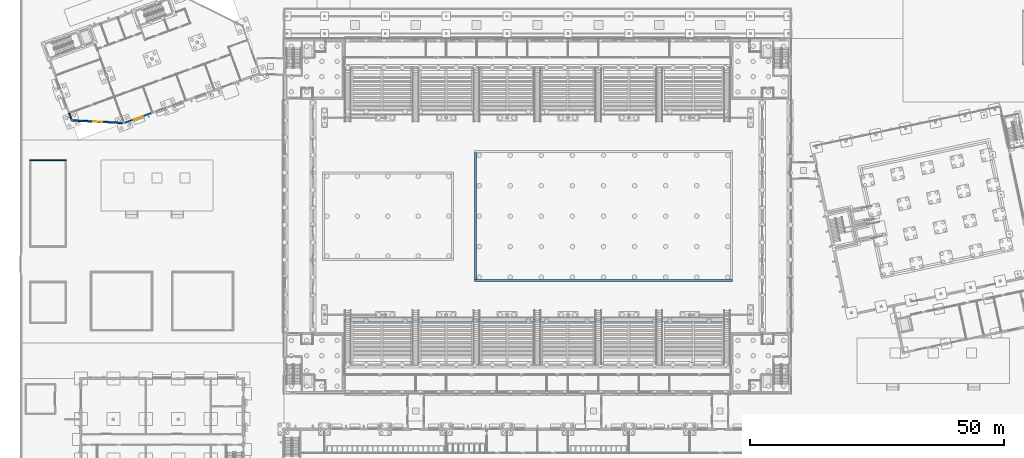
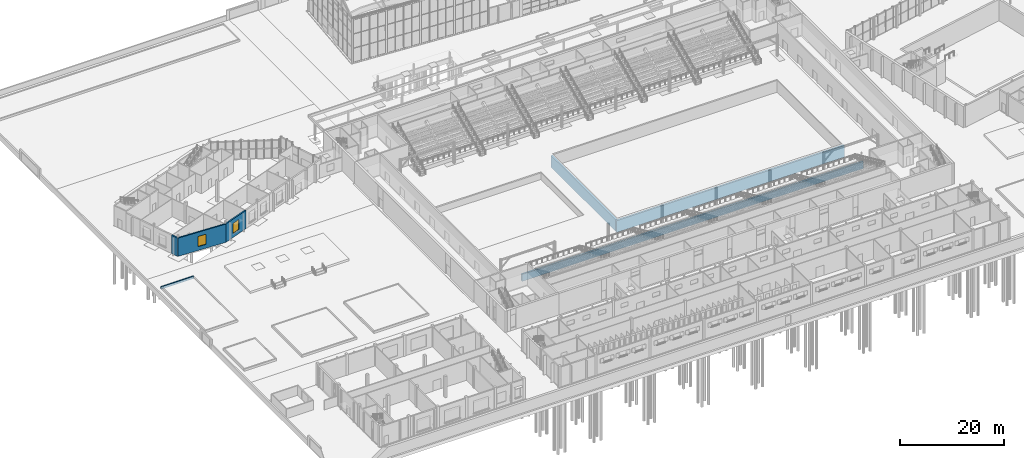
# One storey, part 91 of 157: 7 walls, 2 windows, 2 openings.
"""IFC4 building model written with IfcOpenShell, lengths in metres."""

from ifc_helpers import new_model, si_unit, direction, frame, frame_2d, origin, place, context, subcontext, project, spatial, rectangle, extrude, material, layer, layer_set, type_object, element, fill, save


model = new_model("IFC4")

# Units and contexts
model_context = context("Model", 3, precision=1e-05, world=origin(), true_north=direction((0.0, 1.0)))
body_context = subcontext(model_context, "Body", "Model", "MODEL_VIEW")
ifc_project = project(units=[si_unit("LENGTHUNIT", "METRE"), si_unit("AREAUNIT", "SQUARE_METRE"), si_unit("VOLUMEUNIT", "CUBIC_METRE"), si_unit("PLANEANGLEUNIT", "RADIAN"), si_unit("MASSUNIT", "GRAM", prefix="KILO")], contexts=[model_context])

# Site, building, storey
site_placement = place(None, origin())
site = spatial("IfcSite", under=ifc_project, at=site_placement, CompositionType="ELEMENT")
building_placement = place(site_placement, origin())
building = spatial("IfcBuilding", under=site, at=building_placement, Name="Windward Yard Aquatics Centre", CompositionType="ELEMENT")
storey_placement = place(building_placement, origin())
storey = spatial("IfcBuildingStorey", under=building, at=storey_placement, Name="L00", CompositionType="ELEMENT", Elevation=0.0)

# Wall, opening, window
ifc_material_1 = material(Name="Natural stone cladding", Category="masonry")
ifc_layer_1 = layer(ifc_material_1, 0.04, Name="Cladding")
ifc_material_2 = material(Name="Ventilated air cavity")
ifc_layer_2 = layer(ifc_material_2, 0.04, ventilated=True, Name="Ventilated cavity")
ifc_material_3 = material(Name="Mineral wool insulation")
ifc_layer_3 = layer(ifc_material_3, 0.06, Name="Insulation")
ifc_material_4 = material(Name="Concrete C40/50", Category="concrete")
ifc_layer_4 = layer(ifc_material_4, 0.16, Name="Structure")
ifc_layer_set_1 = layer_set([ifc_layer_1, ifc_layer_2, ifc_layer_3, ifc_layer_4], Name="F stone-faced infill wall 300 Concrete C40/50")
wall_type_1 = type_object("IfcWallType", Name="F stone-faced infill wall 300 Concrete C40/50", PredefinedType="ELEMENTEDWALL", material=ifc_layer_set_1)
wall_1_placement = place(storey_placement, frame((10.197998046875, 79.863525390625, 0.0), z_axis=(0.0, 0.0, 1.0), x_axis=(0.998777549242, -0.049430831779, 0.0)))
wall_1 = element("IfcWall", 1, at=wall_1_placement, inside=storey, type_object=wall_type_1, Name="F.WL.L00.E01", PredefinedType="ELEMENTEDWALL", context=body_context, shape_type="SweptSolid", body=[
    extrude(rectangle(XDim=10.307861328125, YDim=0.300048828125, at=frame_2d((5.15380859375, 0.0))), origin(), (0.0, 0.0, 1.0), 4.302978515625),
])
opening_1_placement = place(wall_1_placement, frame((4.25390625, 0.0, 0.89990234375)))
opening_1 = element("IfcOpeningElement", 2, at=opening_1_placement, cuts=wall_1, Name="Opening F0101", PredefinedType="OPENING", context=body_context, shape_type="SweptSolid", body=[
    extrude(rectangle(XDim=1.800048828125, YDim=2.39990234375, at=frame_2d((0.89990234375, 1.199951171875))), frame((0.0, 0.16015625, 0.0), z_axis=(0.0, -1.0, 0.0), x_axis=(1.0, 0.0, 0.0)), (0.0, 0.0, 1.0), 0.320068359375),
])
ifc_material_5 = material(Name="Aluminium frame with double glazing", Category="aluminium")
window_type = type_object("IfcWindowType", Name="F window 1800x2400 double glazed", PartitioningType="SINGLE_PANEL", PredefinedType="WINDOW", material=ifc_material_5)
window_1_placement = place(opening_1_placement, origin())
window_1 = element("IfcWindow", 3, at=window_1_placement, inside=storey, type_object=window_type, Name="Window F0101", OverallHeight=2.39990234375, OverallWidth=1.800048828125, PartitioningType="SINGLE_PANEL", PredefinedType="WINDOW", context=body_context, shape_type="SweptSolid", body=[
    extrude(rectangle(XDim=1.800048828125, YDim=2.39990234375, at=frame_2d((0.89990234375, 1.199951171875))), frame((0.0, 0.030029296875, 0.0), z_axis=(0.0, -1.0, 0.0), x_axis=(1.0, 0.0, 0.0)), (0.0, 0.0, 1.0), 0.06005859375),
])
fill(opening_1, window_1)

wall_2_placement = place(storey_placement, frame((20.4931640625, 79.35400390625, 0.0), z_axis=(0.0, 0.0, 1.0), x_axis=(0.939699533273, 0.342001150825, 0.0)))
wall_2 = element("IfcWall", 4, at=wall_2_placement, inside=storey, type_object=wall_type_1, Name="F.WL.L00.E02", PredefinedType="ELEMENTEDWALL", context=body_context, shape_type="SweptSolid", body=[
    extrude(rectangle(XDim=6.0, YDim=0.300048828125, at=frame_2d((3.0, 0.0))), origin(), (0.0, 0.0, 1.0), 4.302978515625),
])
opening_2_placement = place(wall_2_placement, frame((2.10009765625, 0.0, 0.89990234375)))
opening_2 = element("IfcOpeningElement", 5, at=opening_2_placement, cuts=wall_2, Name="Opening F0102", PredefinedType="OPENING", context=body_context, shape_type="SweptSolid", body=[
    extrude(rectangle(XDim=1.800048828125, YDim=2.39990234375, at=frame_2d((0.89990234375, 1.199951171875))), frame((0.0, 0.16015625, 0.0), z_axis=(0.0, -1.0, 0.0), x_axis=(1.0, 0.0, 0.0)), (0.0, 0.0, 1.0), 0.320068359375),
])
window_2_placement = place(opening_2_placement, origin())
window_2 = element("IfcWindow", 6, at=window_2_placement, inside=storey, type_object=window_type, Name="Window F0102", OverallHeight=2.39990234375, OverallWidth=1.800048828125, PartitioningType="SINGLE_PANEL", PredefinedType="WINDOW", context=body_context, shape_type="SweptSolid", body=[
    extrude(rectangle(XDim=1.800048828125, YDim=2.39990234375, at=frame_2d((0.89990234375, 1.199951171875))), frame((0.0, 0.030029296875, 0.0), z_axis=(0.0, -1.0, 0.0), x_axis=(1.0, 0.0, 0.0)), (0.0, 0.0, 1.0), 0.06005859375),
])
fill(opening_2, window_2)

# Walls
wall_3_placement = place(storey_placement, frame((9.684814453125, 81.27294921875, 0.0), z_axis=(0.0, 0.0, 1.0), x_axis=(0.342135098543, -0.939650772545, 0.0)))
element("IfcWall", 7, at=wall_3_placement, inside=storey, type_object=wall_type_1, Name="F.WL.L00.E15", PredefinedType="ELEMENTEDWALL", context=body_context, shape_type="SweptSolid", body=[
    extrude(rectangle(XDim=1.5, YDim=0.300048828125, at=frame_2d((0.75, 0.0))), origin(), (0.0, 0.0, 1.0), 4.302978515625),
])
ifc_material_6 = material(Name="Concrete C35/45", Category="concrete")
ifc_layer_5 = layer(ifc_material_6, 0.39990234375)
ifc_layer_set_2 = layer_set([ifc_layer_5], Name="H stand front wall 400 C35/45")
wall_type_2 = type_object("IfcWallType", Name="H stand front wall 400 C35/45", PredefinedType="SOLIDWALL", material=ifc_layer_set_2)
wall_4_placement = place(storey_placement, frame((64.0, 40.39990234375, -0.800048828125), z_axis=(0.0, 0.0, 1.0), x_axis=(1.0, 0.0, 0.0)))
element("IfcWall", 8, at=wall_4_placement, inside=storey, type_object=wall_type_2, Name="H.SW.S", PredefinedType="SOLIDWALL", context=body_context, shape_type="SweptSolid", body=[
    extrude(rectangle(XDim=76.0, YDim=0.39990234375, at=frame_2d((38.0, 0.0))), origin(), (0.0, 0.0, 1.0), 1.66015625),
])
ifc_material_7 = material(Name="Ceramic tile in waterproof adhesive")
ifc_layer_6 = layer(ifc_material_7, 0.02, Name="Tile lining")
ifc_material_8 = material(Name="Cementitious waterproofing membrane")
ifc_layer_7 = layer(ifc_material_8, 0.005, Name="Waterproofing")
ifc_layer_8 = layer(ifc_material_4, 0.375, Name="Structure")
ifc_layer_set_3 = layer_set([ifc_layer_6, ifc_layer_7, ifc_layer_8], Name="H tank wall 400 C40/50")
wall_type_3 = type_object("IfcWallType", Name="H tank wall 400 C40/50", PredefinedType="SOLIDWALL", material=ifc_layer_set_3)
wall_5_placement = place(storey_placement, frame((89.60009765625, 48.300048828125, -3.0), z_axis=(0.0, 0.0, 1.0), x_axis=(1.0, 0.0, 0.0)))
element("IfcWall", 9, at=wall_5_placement, inside=storey, type_object=wall_type_3, Name="H.TK.C.S", PredefinedType="SOLIDWALL", context=body_context, shape_type="SweptSolid", body=[
    extrude(rectangle(XDim=50.7998046875, YDim=0.39990234375, at=frame_2d((25.39990234375, 0.0))), origin(), (0.0, 0.0, 1.0), 2.75),
])
wall_6_placement = place(storey_placement, frame((89.800048828125, 48.5, -3.0), z_axis=(0.0, 0.0, 1.0), x_axis=(0.0, 1.0, 0.0)))
element("IfcWall", 10, at=wall_6_placement, inside=storey, type_object=wall_type_3, Name="H.TK.C.W", PredefinedType="SOLIDWALL", context=body_context, shape_type="SweptSolid", body=[
    extrude(rectangle(XDim=25.0, YDim=0.39990234375, at=frame_2d((12.5, 0.0))), origin(), (0.0, 0.0, 1.0), 2.75),
])
ifc_material_9 = material(Name="Bituminous waterproofing membrane with root barrier")
ifc_layer_9 = layer(ifc_material_9, 0.005, Name="Waterproofing and root barrier")
ifc_material_10 = material(Name="Concrete C30/37", Category="concrete")
ifc_layer_10 = layer(ifc_material_10, 0.245, Name="Structure")
ifc_layer_set_4 = layer_set([ifc_layer_9, ifc_layer_10], Name="X Planter Wall Concrete C30/37 250 x 550")
wall_type_4 = type_object("IfcWallType", Name="X Planter Wall Concrete C30/37 250 x 550", PredefinedType="USERDEFINED", material=ifc_layer_set_4)
wall_7_placement = place(storey_placement, frame((1.875, 72.0, -0.10009765625), z_axis=(0.0, 0.0, 1.0), x_axis=(1.0, 0.0, 0.0)))
element("IfcWall", 11, at=wall_7_placement, inside=storey, type_object=wall_type_4, Name="West boundary garden north planter wall", ObjectType="PLANTER WALL", PredefinedType="USERDEFINED", context=body_context, shape_type="SweptSolid", body=[
    extrude(rectangle(XDim=7.25, YDim=0.25, at=frame_2d((3.625, 0.0))), origin(), (0.0, 0.0, 1.0), 0.550048828125),
])

save(model, "model.ifc")
